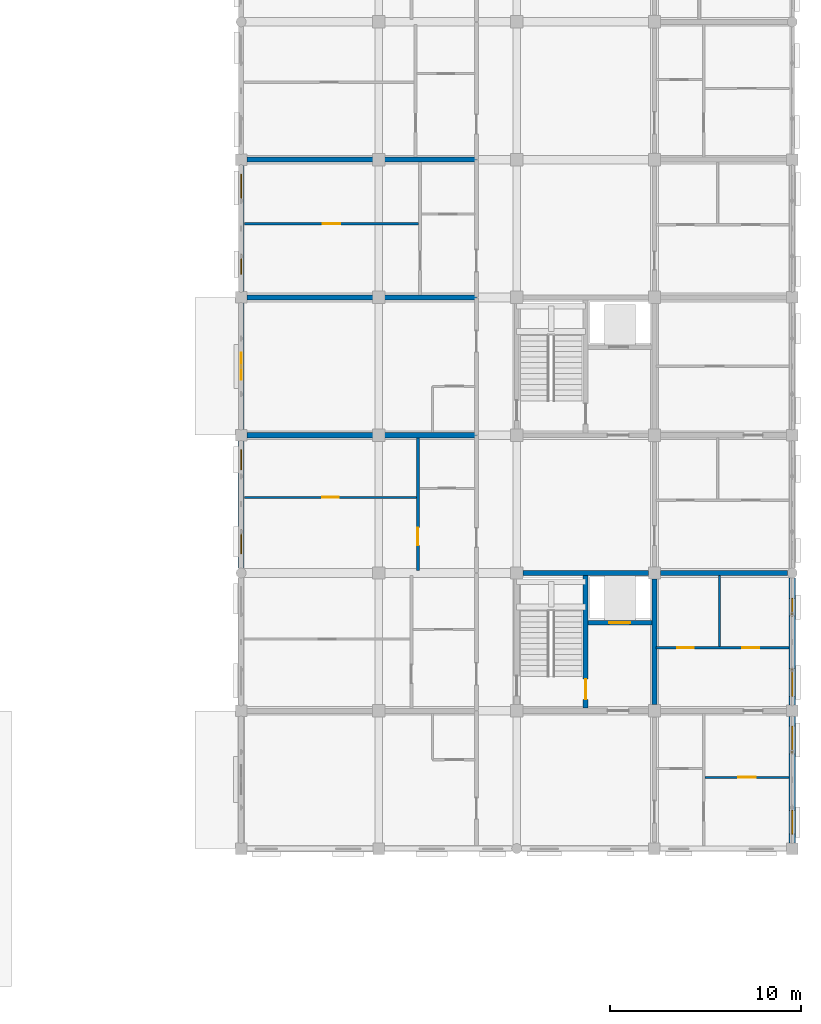
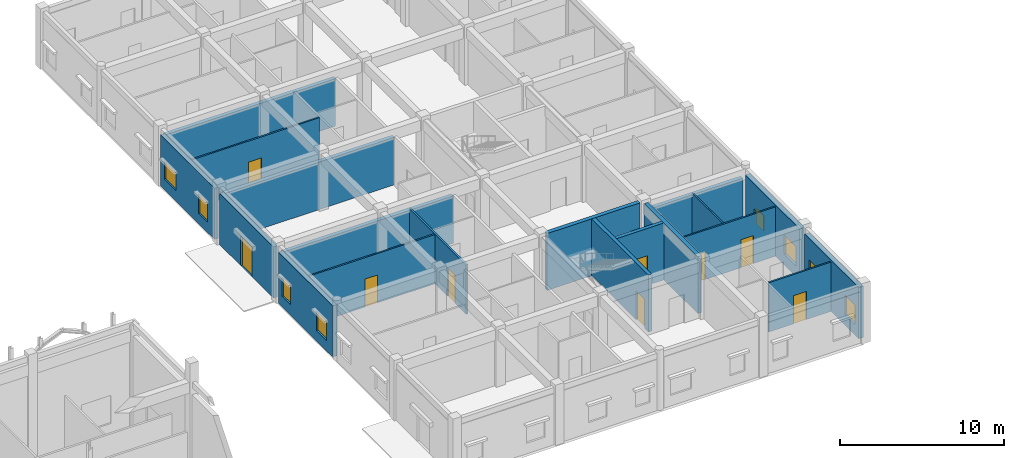
# One storey, part 111 of 138: 19 walls, 9 doors, 8 windows, 17 openings.
"""IFC4 building model written with IfcOpenShell, lengths in metres."""

from ifc_helpers import new_model, si_unit, direction, frame, frame_2d, origin, place, context, subcontext, project, spatial, rectangle, extrude, material, layer, layer_set, type_object, element, fill, save


model = new_model("IFC4")

# Units and contexts
model_context = context("Model", 3, precision=1e-05, world=origin(), true_north=direction((0.0, 1.0)))
body_context = subcontext(model_context, "Body", "Model", "MODEL_VIEW")
ifc_project = project(units=[si_unit("LENGTHUNIT", "METRE"), si_unit("AREAUNIT", "SQUARE_METRE"), si_unit("VOLUMEUNIT", "CUBIC_METRE"), si_unit("PLANEANGLEUNIT", "RADIAN"), si_unit("MASSUNIT", "GRAM", prefix="KILO"), si_unit("THERMODYNAMICTEMPERATUREUNIT", "KELVIN"), si_unit("POWERUNIT", "WATT")], contexts=[model_context])

# Site, building, storey
site_placement = place(None, origin())
site = spatial("IfcSite", under=ifc_project, at=site_placement, CompositionType="ELEMENT")
building_placement = place(site_placement, origin())
building = spatial("IfcBuilding", under=site, at=building_placement, Name="Tavuni Mirador Residences", CompositionType="ELEMENT")
storey_placement = place(building_placement, origin())
storey = spatial("IfcBuildingStorey", under=building, at=storey_placement, Name="L00", CompositionType="ELEMENT", Elevation=0.0)

# Wall, opening, door
ifc_material_1 = material(Name="Precast concrete C40/50", Category="concrete")
ifc_layer_1 = layer(ifc_material_1, 0.25, Name="Precast concrete C40/50", Category="concrete")
ifc_layer_set_1 = layer_set([ifc_layer_1], Name="Precast concrete C40/50")
wall_type_1 = type_object("IfcWallType", Name="WT-COR250", PredefinedType="SHEAR", material=ifc_layer_set_1)
wall_1_placement = place(storey_placement, frame((108.0, 93.739990234375, 0.0), z_axis=(0.0, 0.0, 1.0), x_axis=(0.0, 1.0, 0.0)))
wall_1 = element("IfcWall", 1, at=wall_1_placement, inside=storey, type_object=wall_type_1, Name="CWALL-C7-L00-MID", PredefinedType="SHEAR", context=body_context, shape_type="SweptSolid", body=[
    extrude(rectangle(XDim=6.919921875, YDim=0.25, at=frame_2d((3.4599609375, 0.0))), origin(), (0.0, 0.0, 1.0), 4.239990234375),
])
opening_1_placement = place(wall_1_placement, frame((0.4599609375, 0.0, 0.0)))
opening_1 = element("IfcOpeningElement", 2, at=opening_1_placement, cuts=wall_1, Name="Opening D-01", PredefinedType="OPENING", context=body_context, shape_type="SweptSolid", body=[
    extrude(rectangle(XDim=1.050048828125, YDim=2.14990234375, at=frame_2d((0.52490234375, 1.074951171875))), frame((0.0, 0.135009765625, 0.0), z_axis=(0.0, -1.0, 0.0), x_axis=(1.0, 0.0, 0.0)), (0.0, 0.0, 1.0), 0.27001953125),
])
ifc_material_2 = material(Name="Solid core iroko timber", Category="wood")
door_type_1 = type_object("IfcDoorType", Name="DT-ST1050", OperationType="NOTDEFINED", PredefinedType="DOOR", material=ifc_material_2)
door_1_placement = place(opening_1_placement, frame((1.050048828125, 0.0, 0.0), z_axis=(0.0, 0.0, 1.0), x_axis=(-1.0, 0.0, 0.0)))
door_1 = element("IfcDoor", 3, at=door_1_placement, inside=storey, type_object=door_type_1, Name="DR-2267", OperationType="SINGLE_SWING_LEFT", OverallHeight=2.14990234375, OverallWidth=1.050048828125, PredefinedType="DOOR", context=body_context, shape_type="SweptSolid", body=[
    extrude(rectangle(XDim=1.050048828125, YDim=2.14990234375, at=frame_2d((0.52490234375, 1.074951171875))), frame((0.0, 0.02490234375, 0.0), z_axis=(0.0, -1.0, 0.0), x_axis=(1.0, 0.0, 0.0)), (0.0, 0.0, 1.0), 0.050048828125),
])
fill(opening_1, door_1)

wall_2_placement = place(storey_placement, frame((108.125, 98.199951171875, 0.0), z_axis=(0.0, 0.0, 1.0), x_axis=(1.0, 0.0, 0.0)))
wall_2 = element("IfcWall", 4, at=wall_2_placement, inside=storey, type_object=wall_type_1, Name="CWALL-C7-L00-SHF", PredefinedType="SHEAR", context=body_context, shape_type="SweptSolid", body=[
    extrude(rectangle(XDim=3.3349609375, YDim=0.25, at=frame_2d((1.66748046875, 0.0))), origin(), (0.0, 0.0, 1.0), 4.239990234375),
])
opening_2_placement = place(wall_2_placement, frame((1.10009765625, 0.0, 0.0)))
opening_2 = element("IfcOpeningElement", 5, at=opening_2_placement, cuts=wall_2, Name="Opening LD-01", PredefinedType="OPENING", context=body_context, shape_type="SweptSolid", body=[
    extrude(rectangle(XDim=1.10009765625, YDim=2.199951171875, at=frame_2d((0.550048828125, 1.10009765625))), frame((0.0, 0.135009765625, 0.0), z_axis=(0.0, -1.0, 0.0), x_axis=(1.0, 0.0, 0.0)), (0.0, 0.0, 1.0), 0.27001953125),
])
ifc_material_3 = material(Name="Structural steel S355", Category="steel")
door_type_2 = type_object("IfcDoorType", Name="DT-LD-FF", OperationType="SLIDING_TO_LEFT", PredefinedType="DOOR", material=ifc_material_3)
door_2_placement = place(opening_2_placement, origin())
door_2 = element("IfcDoor", 6, at=door_2_placement, inside=storey, type_object=door_type_2, Name="Lift landing door FL-D1 L00", OperationType="SLIDING_TO_LEFT", OverallHeight=2.199951171875, OverallWidth=1.10009765625, PredefinedType="DOOR", context=body_context, shape_type="SweptSolid", body=[
    extrude(rectangle(XDim=1.10009765625, YDim=2.199951171875, at=frame_2d((0.550048828125, 1.10009765625))), frame((0.0, 0.02490234375, 0.0), z_axis=(0.0, -1.0, 0.0), x_axis=(1.0, 0.0, 0.0)), (0.0, 0.0, 1.0), 0.050048828125),
])
fill(opening_2, door_2)

# Walls
ifc_layer_2 = layer(ifc_material_1, 0.280029296875, Name="Precast concrete C40/50", Category="concrete")
ifc_layer_set_2 = layer_set([ifc_layer_2], Name="Precast concrete C40/50")
wall_type_2 = type_object("IfcWallType", Name="WT-COR280", PredefinedType="SHEAR", material=ifc_layer_set_2)
wall_3_placement = place(storey_placement, frame((104.72509765625, 100.800048828125, 0.0), z_axis=(0.0, 0.0, 1.0), x_axis=(1.0, 0.0, 0.0)))
element("IfcWall", 7, at=wall_3_placement, inside=storey, type_object=wall_type_2, Name="CWALL-C7-L00-N", PredefinedType="SHEAR", context=body_context, shape_type="SweptSolid", body=[
    extrude(rectangle(XDim=6.5498046875, YDim=0.280029296875, at=frame_2d((3.27490234375, 0.0))), origin(), (0.0, 0.0, 1.0), 4.239990234375),
])
wall_4_placement = place(storey_placement, frame((111.60009765625, 93.925048828125, 0.0), z_axis=(0.0, 0.0, 1.0), x_axis=(0.0, 1.0, 0.0)))
element("IfcWall", 8, at=wall_4_placement, inside=storey, type_object=wall_type_2, Name="CWALL-C7-L00-E", PredefinedType="SHEAR", context=body_context, shape_type="SweptSolid", body=[
    extrude(rectangle(XDim=6.550048828125, YDim=0.280029296875, at=frame_2d((3.27490234375, 0.0))), origin(), (0.0, 0.0, 1.0), 4.239990234375),
])

# Wall, openings, windows
ifc_layer_3 = layer(ifc_material_1, 0.330078125, Name="Precast concrete C40/50", Category="concrete")
ifc_layer_set_3 = layer_set([ifc_layer_3], Name="Precast concrete C40/50")
wall_type_3 = type_object("IfcWallType", Name="WT-EXT-COR330", PredefinedType="SOLIDWALL", material=ifc_layer_set_3)
wall_5_placement = place(storey_placement, frame((118.800048828125, 86.699951171875, 0.0), z_axis=(0.0, 0.0, 1.0), x_axis=(0.0, 1.0, 0.0)))
wall_5 = element("IfcWall", 9, at=wall_5_placement, inside=storey, type_object=wall_type_3, Name="EW-BLK-D-L00-E00", PredefinedType="SOLIDWALL", context=body_context, shape_type="SweptSolid", body=[
    extrude(rectangle(XDim=6.60009765625, YDim=0.330078125, at=frame_2d((3.300048828125, 0.0))), origin(), (0.0, 0.0, 1.0), 3.81005859375),
])
opening_3_placement = place(wall_5_placement, frame((0.449951171875, 0.0, 0.780029296875)))
opening_3 = element("IfcOpeningElement", 10, at=opening_3_placement, cuts=wall_5, Name="Opening WN-28", PredefinedType="OPENING", context=body_context, shape_type="SweptSolid", body=[
    extrude(rectangle(XDim=1.25, YDim=1.43994140625, at=frame_2d((0.625, 0.719970703125))), frame((0.0, 0.175048828125, 0.0), z_axis=(0.0, -1.0, 0.0), x_axis=(1.0, 0.0, 0.0)), (0.0, 0.0, 1.0), 0.35009765625),
])
opening_4_placement = place(wall_5_placement, frame((4.64990234375, 0.0, 0.780029296875)))
opening_4 = element("IfcOpeningElement", 11, at=opening_4_placement, cuts=wall_5, Name="Opening WN-30", PredefinedType="OPENING", context=body_context, shape_type="SweptSolid", body=[
    extrude(rectangle(XDim=1.449951171875, YDim=1.43994140625, at=frame_2d((0.72509765625, 0.719970703125))), frame((0.0, 0.175048828125, 0.0), z_axis=(0.0, -1.0, 0.0), x_axis=(1.0, 0.0, 0.0)), (0.0, 0.0, 1.0), 0.35009765625),
])
ifc_material_4 = material(Name="Laminated solar-control glass", Category="glass")
window_type_1 = type_object("IfcWindowType", Name="WNT-28", PartitioningType="SINGLE_PANEL", PredefinedType="WINDOW", material=ifc_material_4)
window_1_placement = place(opening_3_placement, origin())
window_1 = element("IfcWindow", 12, at=window_1_placement, inside=storey, type_object=window_type_1, Name="WIN-1407", OverallHeight=1.43994140625, OverallWidth=1.25, PartitioningType="SINGLE_PANEL", PredefinedType="WINDOW", context=body_context, shape_type="SweptSolid", body=[
    extrude(rectangle(XDim=1.25, YDim=1.43994140625, at=frame_2d((0.625, 0.719970703125))), frame((0.0, 0.030029296875, 0.0), z_axis=(0.0, -1.0, 0.0), x_axis=(1.0, 0.0, 0.0)), (0.0, 0.0, 1.0), 0.06005859375),
])
fill(opening_3, window_1)
window_type_2 = type_object("IfcWindowType", Name="WNT-30", PartitioningType="SINGLE_PANEL", PredefinedType="WINDOW", material=ifc_material_4)
window_2_placement = place(opening_4_placement, origin())
window_2 = element("IfcWindow", 13, at=window_2_placement, inside=storey, type_object=window_type_2, Name="WIN-1408", OverallHeight=1.43994140625, OverallWidth=1.449951171875, PartitioningType="SINGLE_PANEL", PredefinedType="WINDOW", context=body_context, shape_type="SweptSolid", body=[
    extrude(rectangle(XDim=1.449951171875, YDim=1.43994140625, at=frame_2d((0.72509765625, 0.719970703125))), frame((0.0, 0.030029296875, 0.0), z_axis=(0.0, -1.0, 0.0), x_axis=(1.0, 0.0, 0.0)), (0.0, 0.0, 1.0), 0.06005859375),
])
fill(opening_4, window_2)

ifc_material_5 = material(Name="Sgraffito lime-rendered precast concrete C40/50", Category="concrete")
ifc_layer_4 = layer(ifc_material_5, 0.27490234375, Name="Sgraffito lime-rendered precast concrete C40/50", Category="concrete")
ifc_layer_set_4 = layer_set([ifc_layer_4], Name="Sgraffito lime-rendered precast concrete C40/50")
wall_type_4 = type_object("IfcWallType", Name="WT-EXT-PC275", PredefinedType="SOLIDWALL", material=ifc_layer_set_4)
wall_6_placement = place(storey_placement, frame((90.0, 122.10009765625, 0.0), z_axis=(0.0, 0.0, 1.0), x_axis=(0.0, -1.0, 0.0)))
wall_6 = element("IfcWall", 14, at=wall_6_placement, inside=storey, type_object=wall_type_4, Name="EW-BLK-D-L00-W04", PredefinedType="SOLIDWALL", context=body_context, shape_type="SweptSolid", body=[
    extrude(rectangle(XDim=6.60009765625, YDim=0.27490234375, at=frame_2d((3.300048828125, 0.0))), origin(), (0.0, 0.0, 1.0), 3.81005859375),
])
opening_5_placement = place(wall_6_placement, frame((0.449951171875, 0.0, 0.780029296875)))
opening_5 = element("IfcOpeningElement", 15, at=opening_5_placement, cuts=wall_6, Name="Opening WN-24", PredefinedType="OPENING", context=body_context, shape_type="SweptSolid", body=[
    extrude(rectangle(XDim=1.4599609375, YDim=1.360107421875, at=frame_2d((0.72998046875, 0.68017578125))), frame((0.0, 0.1474609375, 0.0), z_axis=(0.0, -1.0, 0.0), x_axis=(1.0, 0.0, 0.0)), (0.0, 0.0, 1.0), 0.294921875),
])
opening_6_placement = place(wall_6_placement, frame((4.64990234375, 0.0, 0.780029296875)))
opening_6 = element("IfcOpeningElement", 16, at=opening_6_placement, cuts=wall_6, Name="Opening WN-26", PredefinedType="OPENING", context=body_context, shape_type="SweptSolid", body=[
    extrude(rectangle(XDim=1.050048828125, YDim=1.43994140625, at=frame_2d((0.52490234375, 0.719970703125))), frame((0.0, 0.1474609375, 0.0), z_axis=(0.0, -1.0, 0.0), x_axis=(1.0, 0.0, 0.0)), (0.0, 0.0, 1.0), 0.294921875),
])
window_type_3 = type_object("IfcWindowType", Name="WNT-24", PartitioningType="SINGLE_PANEL", PredefinedType="WINDOW", material=ifc_material_4)
window_3_placement = place(opening_5_placement, origin())
window_3 = element("IfcWindow", 17, at=window_3_placement, inside=storey, type_object=window_type_3, Name="WIN-1433", OverallHeight=1.360107421875, OverallWidth=1.4599609375, PartitioningType="SINGLE_PANEL", PredefinedType="WINDOW", context=body_context, shape_type="SweptSolid", body=[
    extrude(rectangle(XDim=1.4599609375, YDim=1.360107421875, at=frame_2d((0.72998046875, 0.68017578125))), frame((0.0, 0.030029296875, 0.0), z_axis=(0.0, -1.0, 0.0), x_axis=(1.0, 0.0, 0.0)), (0.0, 0.0, 1.0), 0.06005859375),
])
fill(opening_5, window_3)
window_type_4 = type_object("IfcWindowType", Name="WNT-26", PartitioningType="SINGLE_PANEL", PredefinedType="WINDOW", material=ifc_material_4)
window_4_placement = place(opening_6_placement, origin())
window_4 = element("IfcWindow", 18, at=window_4_placement, inside=storey, type_object=window_type_4, Name="WIN-1434", OverallHeight=1.43994140625, OverallWidth=1.050048828125, PartitioningType="SINGLE_PANEL", PredefinedType="WINDOW", context=body_context, shape_type="SweptSolid", body=[
    extrude(rectangle(XDim=1.050048828125, YDim=1.43994140625, at=frame_2d((0.52490234375, 0.719970703125))), frame((0.0, 0.030029296875, 0.0), z_axis=(0.0, -1.0, 0.0), x_axis=(1.0, 0.0, 0.0)), (0.0, 0.0, 1.0), 0.06005859375),
])
fill(opening_6, window_4)

# Wall, opening, door
ifc_layer_5 = layer(ifc_material_5, 0.2900390625, Name="Sgraffito lime-rendered precast concrete C40/50", Category="concrete")
ifc_layer_set_5 = layer_set([ifc_layer_5], Name="Sgraffito lime-rendered precast concrete C40/50")
wall_type_5 = type_object("IfcWallType", Name="WT-EXT-PC290", PredefinedType="SOLIDWALL", material=ifc_layer_set_5)
wall_7_placement = place(storey_placement, frame((90.0, 114.89990234375, 0.0), z_axis=(0.0, 0.0, 1.0), x_axis=(0.0, -1.0, 0.0)))
wall_7 = element("IfcWall", 19, at=wall_7_placement, inside=storey, type_object=wall_type_5, Name="EW-BLK-D-L00-W03", PredefinedType="SOLIDWALL", context=body_context, shape_type="SweptSolid", body=[
    extrude(rectangle(XDim=6.599853515625, YDim=0.2900390625, at=frame_2d((3.2998046875, 0.0))), origin(), (0.0, 0.0, 1.0), 3.81005859375),
])
opening_7_placement = place(wall_7_placement, frame((2.60009765625, 0.0, 0.0)))
opening_7 = element("IfcOpeningElement", 20, at=opening_7_placement, cuts=wall_7, Name="Opening SD-01", PredefinedType="OPENING", context=body_context, shape_type="SweptSolid", body=[
    extrude(rectangle(XDim=1.39990234375, YDim=2.199951171875, at=frame_2d((0.699951171875, 1.10009765625))), frame((0.0, 0.155029296875, 0.0), z_axis=(0.0, -1.0, 0.0), x_axis=(1.0, 0.0, 0.0)), (0.0, 0.0, 1.0), 0.31005859375),
])
ifc_material_6 = material(Name="Anodised aluminium", Category="aluminium")
door_type_3 = type_object("IfcDoorType", Name="DT-SHP1400", OperationType="NOTDEFINED", PredefinedType="DOOR", material=ifc_material_6)
door_3_placement = place(opening_7_placement, frame((1.39990234375, 0.0, 0.0), z_axis=(0.0, 0.0, 1.0), x_axis=(-1.0, 0.0, 0.0)))
door_3 = element("IfcDoor", 21, at=door_3_placement, inside=storey, type_object=door_type_3, Name="Final exit door EX-016", OperationType="SINGLE_SWING_LEFT", OverallHeight=2.199951171875, OverallWidth=1.39990234375, PredefinedType="DOOR", context=body_context, shape_type="SweptSolid", body=[
    extrude(rectangle(XDim=1.39990234375, YDim=2.199951171875, at=frame_2d((0.699951171875, 1.10009765625))), frame((0.0, 0.02490234375, 0.0), z_axis=(0.0, -1.0, 0.0), x_axis=(1.0, 0.0, 0.0)), (0.0, 0.0, 1.0), 0.050048828125),
])
fill(opening_7, door_3)

# Wall, openings, windows
ifc_layer_6 = layer(ifc_material_5, 0.304931640625, Name="Sgraffito lime-rendered precast concrete C40/50", Category="concrete")
ifc_layer_set_6 = layer_set([ifc_layer_6], Name="Sgraffito lime-rendered precast concrete C40/50")
wall_type_6 = type_object("IfcWallType", Name="WT-EXT-PC305", PredefinedType="SOLIDWALL", material=ifc_layer_set_6)
wall_8_placement = place(storey_placement, frame((90.0, 107.699951171875, 0.0), z_axis=(0.0, 0.0, 1.0), x_axis=(0.0, -1.0, 0.0)))
wall_8 = element("IfcWall", 22, at=wall_8_placement, inside=storey, type_object=wall_type_6, Name="EW-BLK-D-L00-W02", PredefinedType="SOLIDWALL", context=body_context, shape_type="SweptSolid", body=[
    extrude(rectangle(XDim=6.639892578125, YDim=0.304931640625, at=frame_2d((3.31982421875, 0.0))), origin(), (0.0, 0.0, 1.0), 3.81005859375),
])
opening_8_placement = place(wall_8_placement, frame((0.449951171875, 0.0, 0.780029296875)))
opening_8 = element("IfcOpeningElement", 23, at=opening_8_placement, cuts=wall_8, Name="Opening WN-26", PredefinedType="OPENING", context=body_context, shape_type="SweptSolid", body=[
    extrude(rectangle(XDim=1.050048828125, YDim=1.43994140625, at=frame_2d((0.52490234375, 0.719970703125))), frame((0.0, 0.16259765625, 0.0), z_axis=(0.0, -1.0, 0.0), x_axis=(1.0, 0.0, 0.0)), (0.0, 0.0, 1.0), 0.324951171875),
])
opening_9_placement = place(wall_8_placement, frame((4.64990234375, 0.0, 0.780029296875)))
opening_9 = element("IfcOpeningElement", 24, at=opening_9_placement, cuts=wall_8, Name="Opening WN-28", PredefinedType="OPENING", context=body_context, shape_type="SweptSolid", body=[
    extrude(rectangle(XDim=1.25, YDim=1.43994140625, at=frame_2d((0.625, 0.719970703125))), frame((0.0, 0.16259765625, 0.0), z_axis=(0.0, -1.0, 0.0), x_axis=(1.0, 0.0, 0.0)), (0.0, 0.0, 1.0), 0.324951171875),
])
window_5_placement = place(opening_8_placement, origin())
window_5 = element("IfcWindow", 25, at=window_5_placement, inside=storey, type_object=window_type_4, Name="WIN-1435", OverallHeight=1.43994140625, OverallWidth=1.050048828125, PartitioningType="SINGLE_PANEL", PredefinedType="WINDOW", context=body_context, shape_type="SweptSolid", body=[
    extrude(rectangle(XDim=1.050048828125, YDim=1.43994140625, at=frame_2d((0.52490234375, 0.719970703125))), frame((0.0, 0.030029296875, 0.0), z_axis=(0.0, -1.0, 0.0), x_axis=(1.0, 0.0, 0.0)), (0.0, 0.0, 1.0), 0.06005859375),
])
fill(opening_8, window_5)
window_6_placement = place(opening_9_placement, origin())
window_6 = element("IfcWindow", 26, at=window_6_placement, inside=storey, type_object=window_type_1, Name="WIN-1436", OverallHeight=1.43994140625, OverallWidth=1.25, PartitioningType="SINGLE_PANEL", PredefinedType="WINDOW", context=body_context, shape_type="SweptSolid", body=[
    extrude(rectangle(XDim=1.25, YDim=1.43994140625, at=frame_2d((0.625, 0.719970703125))), frame((0.0, 0.030029296875, 0.0), z_axis=(0.0, -1.0, 0.0), x_axis=(1.0, 0.0, 0.0)), (0.0, 0.0, 1.0), 0.06005859375),
])
fill(opening_9, window_6)

ifc_layer_7 = layer(ifc_material_5, 0.344970703125, Name="Sgraffito lime-rendered precast concrete C40/50", Category="concrete")
ifc_layer_set_7 = layer_set([ifc_layer_7], Name="Sgraffito lime-rendered precast concrete C40/50")
wall_type_7 = type_object("IfcWallType", Name="WT-EXT-PTY345", PredefinedType="SOLIDWALL", material=ifc_layer_set_7)
wall_9_placement = place(storey_placement, frame((118.800048828125, 93.89990234375, 0.0), z_axis=(0.0, 0.0, 1.0), x_axis=(0.0, 1.0, 0.0)))
wall_9 = element("IfcWall", 27, at=wall_9_placement, inside=storey, type_object=wall_type_7, Name="EW-BLK-D-L00-E01", PredefinedType="SOLIDWALL", context=body_context, shape_type="SweptSolid", body=[
    extrude(rectangle(XDim=6.64013671875, YDim=0.344970703125, at=frame_2d((3.320068359375, 0.0))), origin(), (0.0, 0.0, 1.0), 3.81005859375),
])
opening_10_placement = place(wall_9_placement, frame((0.449951171875, 0.0, 0.780029296875)))
opening_10 = element("IfcOpeningElement", 28, at=opening_10_placement, cuts=wall_9, Name="Opening WN-30", PredefinedType="OPENING", context=body_context, shape_type="SweptSolid", body=[
    extrude(rectangle(XDim=1.449951171875, YDim=1.43994140625, at=frame_2d((0.72509765625, 0.719970703125))), frame((0.0, 0.1826171875, 0.0), z_axis=(0.0, -1.0, 0.0), x_axis=(1.0, 0.0, 0.0)), (0.0, 0.0, 1.0), 0.364990234375),
])
opening_11_placement = place(wall_9_placement, frame((4.64990234375, 0.0, 0.780029296875)))
opening_11 = element("IfcOpeningElement", 29, at=opening_11_placement, cuts=wall_9, Name="Opening WN-02", PredefinedType="OPENING", context=body_context, shape_type="SweptSolid", body=[
    extrude(rectangle(XDim=0.919921875, YDim=1.14990234375, at=frame_2d((0.4599609375, 0.574951171875))), frame((0.0, 0.1826171875, 0.0), z_axis=(0.0, -1.0, 0.0), x_axis=(1.0, 0.0, 0.0)), (0.0, 0.0, 1.0), 0.364990234375),
])
window_type_5 = type_object("IfcWindowType", Name="WNT-02", PartitioningType="SINGLE_PANEL", PredefinedType="WINDOW", material=ifc_material_4)
window_7_placement = place(opening_11_placement, origin())
window_7 = element("IfcWindow", 30, at=window_7_placement, inside=storey, type_object=window_type_5, Name="WIN-1410", OverallHeight=1.14990234375, OverallWidth=0.919921875, PartitioningType="SINGLE_PANEL", PredefinedType="WINDOW", context=body_context, shape_type="SweptSolid", body=[
    extrude(rectangle(XDim=0.919921875, YDim=1.14990234375, at=frame_2d((0.4599609375, 0.574951171875))), frame((0.0, 0.030029296875, 0.0), z_axis=(0.0, -1.0, 0.0), x_axis=(1.0, 0.0, 0.0)), (0.0, 0.0, 1.0), 0.06005859375),
])
fill(opening_11, window_7)
window_8_placement = place(opening_10_placement, origin())
window_8 = element("IfcWindow", 31, at=window_8_placement, inside=storey, type_object=window_type_2, Name="WIN-1409", OverallHeight=1.43994140625, OverallWidth=1.449951171875, PartitioningType="SINGLE_PANEL", PredefinedType="WINDOW", context=body_context, shape_type="SweptSolid", body=[
    extrude(rectangle(XDim=1.449951171875, YDim=1.43994140625, at=frame_2d((0.72509765625, 0.719970703125))), frame((0.0, 0.030029296875, 0.0), z_axis=(0.0, -1.0, 0.0), x_axis=(1.0, 0.0, 0.0)), (0.0, 0.0, 1.0), 0.06005859375),
])
fill(opening_10, window_8)

# Wall
ifc_material_7 = material(Name="Acoustic gypsum and concrete block partition", Category="concrete")
ifc_layer_8 = layer(ifc_material_7, 0.10498046875, Name="Acoustic gypsum and concrete block partition", Category="concrete")
ifc_layer_set_8 = layer_set([ifc_layer_8], Name="Acoustic gypsum and concrete block partition")
wall_type_8 = type_object("IfcWallType", Name="WT-PART105", PredefinedType="PARTITIONING", material=ifc_layer_set_8)
wall_10_placement = place(storey_placement, frame((115.0, 96.969970703125, 0.0), z_axis=(0.0, 0.0, 1.0), x_axis=(0.0, 1.0, 0.0)))
element("IfcWall", 32, at=wall_10_placement, inside=storey, type_object=wall_type_8, Name="PW-BLK-D-L00-PF01-V", PredefinedType="PARTITIONING", context=body_context, shape_type="SweptSolid", body=[
    extrude(rectangle(XDim=3.68994140625, YDim=0.10498046875, at=frame_2d((1.844970703125, 0.0))), origin(), (0.0, 0.0, 1.0), 3.675048828125),
])

# Wall, opening, door
ifc_layer_9 = layer(ifc_material_7, 0.114990234375, Name="Acoustic gypsum and concrete block partition", Category="concrete")
ifc_layer_set_9 = layer_set([ifc_layer_9], Name="Acoustic gypsum and concrete block partition")
wall_type_9 = type_object("IfcWallType", Name="WT-PART115", PredefinedType="PARTITIONING", material=ifc_layer_set_9)
wall_11_placement = place(storey_placement, frame((114.25, 90.1201171875, 0.0), z_axis=(0.0, 0.0, 1.0), x_axis=(1.0, 0.0, 0.0)))
wall_11 = element("IfcWall", 33, at=wall_11_placement, inside=storey, type_object=wall_type_9, Name="PW-BLK-D-L00-E00-OUT", PredefinedType="PARTITIONING", context=body_context, shape_type="SweptSolid", body=[
    extrude(rectangle(XDim=4.375, YDim=0.114990234375, at=frame_2d((2.1875, 0.0))), origin(), (0.0, 0.0, 1.0), 3.675048828125),
])
opening_12_placement = place(wall_11_placement, frame((1.737548828125, 0.0, 0.0)))
opening_12 = element("IfcOpeningElement", 34, at=opening_12_placement, cuts=wall_11, Name="Opening D-07", PredefinedType="OPENING", context=body_context, shape_type="SweptSolid", body=[
    extrude(rectangle(XDim=0.89990234375, YDim=2.10009765625, at=frame_2d((0.449951171875, 1.050048828125))), frame((0.0, 0.0673828125, 0.0), z_axis=(0.0, -1.0, 0.0), x_axis=(1.0, 0.0, 0.0)), (0.0, 0.0, 1.0), 0.135009765625),
])
door_type_4 = type_object("IfcDoorType", Name="DT-BED900", OperationType="NOTDEFINED", PredefinedType="DOOR", material=ifc_material_2)
door_4_placement = place(opening_12_placement, origin())
door_4 = element("IfcDoor", 35, at=door_4_placement, inside=storey, type_object=door_type_4, Name="DR-4281", OperationType="SINGLE_SWING_LEFT", OverallHeight=2.10009765625, OverallWidth=0.89990234375, PredefinedType="DOOR", context=body_context, shape_type="SweptSolid", body=[
    extrude(rectangle(XDim=0.89990234375, YDim=2.10009765625, at=frame_2d((0.449951171875, 1.050048828125))), frame((0.0, 0.02490234375, 0.0), z_axis=(0.0, -1.0, 0.0), x_axis=(1.0, 0.0, 0.0)), (0.0, 0.0, 1.0), 0.050048828125),
])
fill(opening_12, door_4)

# Wall, openings, doors
wall_12_placement = place(storey_placement, frame((111.68994140625, 96.89990234375, 0.0), z_axis=(0.0, 0.0, 1.0), x_axis=(1.0, 0.0, 0.0)))
wall_12 = element("IfcWall", 36, at=wall_12_placement, inside=storey, type_object=wall_type_9, Name="PW-BLK-D-L00-PF01-H", PredefinedType="PARTITIONING", context=body_context, shape_type="SweptSolid", body=[
    extrude(rectangle(XDim=6.93505859375, YDim=0.114990234375, at=frame_2d((3.467529296875, 0.0))), origin(), (0.0, 0.0, 1.0), 3.675048828125),
])
opening_13_placement = place(wall_12_placement, frame((1.10009765625, 0.0, 0.0)))
opening_13 = element("IfcOpeningElement", 37, at=opening_13_placement, cuts=wall_12, Name="Opening D-10", PredefinedType="OPENING", context=body_context, shape_type="SweptSolid", body=[
    extrude(rectangle(XDim=0.8701171875, YDim=2.050048828125, at=frame_2d((0.43505859375, 1.02490234375))), frame((0.0, 0.0673828125, 0.0), z_axis=(0.0, -1.0, 0.0), x_axis=(1.0, 0.0, 0.0)), (0.0, 0.0, 1.0), 0.135009765625),
])
opening_14_placement = place(wall_12_placement, frame((4.5, 0.0, 0.0)))
opening_14 = element("IfcOpeningElement", 38, at=opening_14_placement, cuts=wall_12, Name="Opening D-08", PredefinedType="OPENING", context=body_context, shape_type="SweptSolid", body=[
    extrude(rectangle(XDim=0.8798828125, YDim=2.080078125, at=frame_2d((0.43994140625, 1.0400390625))), frame((0.0, 0.0673828125, 0.0), z_axis=(0.0, -1.0, 0.0), x_axis=(1.0, 0.0, 0.0)), (0.0, 0.0, 1.0), 0.135009765625),
])
door_type_5 = type_object("IfcDoorType", Name="DT-BED880", OperationType="NOTDEFINED", PredefinedType="DOOR", material=ifc_material_2)
door_5_placement = place(opening_14_placement, origin())
door_5 = element("IfcDoor", 39, at=door_5_placement, inside=storey, type_object=door_type_5, Name="DR-4288", OperationType="SINGLE_SWING_RIGHT", OverallHeight=2.080078125, OverallWidth=0.8798828125, PredefinedType="DOOR", context=body_context, shape_type="SweptSolid", body=[
    extrude(rectangle(XDim=0.8798828125, YDim=2.080078125, at=frame_2d((0.43994140625, 1.0400390625))), frame((0.0, 0.02490234375, 0.0), z_axis=(0.0, -1.0, 0.0), x_axis=(1.0, 0.0, 0.0)), (0.0, 0.0, 1.0), 0.050048828125),
])
fill(opening_14, door_5)
door_type_6 = type_object("IfcDoorType", Name="DT-WC870", OperationType="NOTDEFINED", PredefinedType="DOOR", material=ifc_material_2)
door_6_placement = place(opening_13_placement, origin())
door_6 = element("IfcDoor", 40, at=door_6_placement, inside=storey, type_object=door_type_6, Name="DR-4287", OperationType="SINGLE_SWING_LEFT", OverallHeight=2.050048828125, OverallWidth=0.8701171875, PredefinedType="DOOR", context=body_context, shape_type="SweptSolid", body=[
    extrude(rectangle(XDim=0.8701171875, YDim=2.050048828125, at=frame_2d((0.43505859375, 1.02490234375))), frame((0.0, 0.02490234375, 0.0), z_axis=(0.0, -1.0, 0.0), x_axis=(1.0, 0.0, 0.0)), (0.0, 0.0, 1.0), 0.050048828125),
])
fill(opening_13, door_6)

# Wall, opening, door
wall_13_placement = place(storey_placement, frame((90.175048828125, 104.75, 0.0), z_axis=(0.0, 0.0, 1.0), x_axis=(1.0, 0.0, 0.0)))
wall_13 = element("IfcWall", 41, at=wall_13_placement, inside=storey, type_object=wall_type_9, Name="PW-BLK-D-L00-W02-OUT", PredefinedType="PARTITIONING", context=body_context, shape_type="SweptSolid", body=[
    extrude(rectangle(XDim=8.994873046875, YDim=0.114990234375, at=frame_2d((4.49755859375, 0.0))), origin(), (0.0, 0.0, 1.0), 3.675048828125),
])
opening_15_placement = place(wall_13_placement, frame((4.0576171875, 0.0, 0.0)))
opening_15 = element("IfcOpeningElement", 42, at=opening_15_placement, cuts=wall_13, Name="Opening D-08", PredefinedType="OPENING", context=body_context, shape_type="SweptSolid", body=[
    extrude(rectangle(XDim=0.8798828125, YDim=2.080078125, at=frame_2d((0.43994140625, 1.0400390625))), frame((0.0, 0.0673828125, 0.0), z_axis=(0.0, -1.0, 0.0), x_axis=(1.0, 0.0, 0.0)), (0.0, 0.0, 1.0), 0.135009765625),
])
door_7_placement = place(opening_15_placement, origin())
door_7 = element("IfcDoor", 43, at=door_7_placement, inside=storey, type_object=door_type_5, Name="DR-4289", OperationType="SINGLE_SWING_RIGHT", OverallHeight=2.080078125, OverallWidth=0.8798828125, PredefinedType="DOOR", context=body_context, shape_type="SweptSolid", body=[
    extrude(rectangle(XDim=0.8798828125, YDim=2.080078125, at=frame_2d((0.43994140625, 1.0400390625))), frame((0.0, 0.02490234375, 0.0), z_axis=(0.0, -1.0, 0.0), x_axis=(1.0, 0.0, 0.0)), (0.0, 0.0, 1.0), 0.050048828125),
])
fill(opening_15, door_7)

wall_14_placement = place(storey_placement, frame((90.175048828125, 119.050048828125, 0.0), z_axis=(0.0, 0.0, 1.0), x_axis=(1.0, 0.0, 0.0)))
wall_14 = element("IfcWall", 44, at=wall_14_placement, inside=storey, type_object=wall_type_9, Name="PW-BLK-D-L00-W04-OUT", PredefinedType="PARTITIONING", context=body_context, shape_type="SweptSolid", body=[
    extrude(rectangle(XDim=9.10498046875, YDim=0.114990234375, at=frame_2d((4.552490234375, 0.0))), origin(), (0.0, 0.0, 1.0), 3.675048828125),
])
opening_16_placement = place(wall_14_placement, frame((4.1025390625, 0.0, 0.0)))
opening_16 = element("IfcOpeningElement", 45, at=opening_16_placement, cuts=wall_14, Name="Opening D-07", PredefinedType="OPENING", context=body_context, shape_type="SweptSolid", body=[
    extrude(rectangle(XDim=0.89990234375, YDim=2.10009765625, at=frame_2d((0.449951171875, 1.050048828125))), frame((0.0, 0.0673828125, 0.0), z_axis=(0.0, -1.0, 0.0), x_axis=(1.0, 0.0, 0.0)), (0.0, 0.0, 1.0), 0.135009765625),
])
door_8_placement = place(opening_16_placement, origin())
door_8 = element("IfcDoor", 46, at=door_8_placement, inside=storey, type_object=door_type_4, Name="DR-4296", OperationType="SINGLE_SWING_LEFT", OverallHeight=2.10009765625, OverallWidth=0.89990234375, PredefinedType="DOOR", context=body_context, shape_type="SweptSolid", body=[
    extrude(rectangle(XDim=0.89990234375, YDim=2.10009765625, at=frame_2d((0.449951171875, 1.050048828125))), frame((0.0, 0.02490234375, 0.0), z_axis=(0.0, -1.0, 0.0), x_axis=(1.0, 0.0, 0.0)), (0.0, 0.0, 1.0), 0.050048828125),
])
fill(opening_16, door_8)

ifc_layer_10 = layer(ifc_material_7, 0.139892578125, Name="Acoustic gypsum and concrete block partition", Category="concrete")
ifc_layer_set_10 = layer_set([ifc_layer_10], Name="Acoustic gypsum and concrete block partition")
wall_type_10 = type_object("IfcWallType", Name="WT-PART140", PredefinedType="PARTITIONING", material=ifc_layer_set_10)
wall_15_placement = place(storey_placement, frame((99.239990234375, 100.93994140625, 0.0), z_axis=(0.0, 0.0, 1.0), x_axis=(0.0, 1.0, 0.0)))
wall_15 = element("IfcWall", 47, at=wall_15_placement, inside=storey, type_object=wall_type_10, Name="PW-BLK-D-L00-W02-MID", PredefinedType="PARTITIONING", context=body_context, shape_type="SweptSolid", body=[
    extrude(rectangle(XDim=6.920166015625, YDim=0.139892578125, at=frame_2d((3.4599609375, 0.0))), origin(), (0.0, 0.0, 1.0), 3.675048828125),
])
opening_17_placement = place(wall_15_placement, frame((1.31005859375, 0.0, 0.0)))
opening_17 = element("IfcOpeningElement", 48, at=opening_17_placement, cuts=wall_15, Name="Opening D-06", PredefinedType="OPENING", context=body_context, shape_type="SweptSolid", body=[
    extrude(rectangle(XDim=0.919921875, YDim=2.10009765625, at=frame_2d((0.4599609375, 1.050048828125))), frame((0.0, 0.080078125, 0.0), z_axis=(0.0, -1.0, 0.0), x_axis=(1.0, 0.0, 0.0)), (0.0, 0.0, 1.0), 0.159912109375),
])
door_type_7 = type_object("IfcDoorType", Name="DT-INT920", OperationType="NOTDEFINED", PredefinedType="DOOR", material=ifc_material_2)
door_9_placement = place(opening_17_placement, origin())
door_9 = element("IfcDoor", 49, at=door_9_placement, inside=storey, type_object=door_type_7, Name="DR-4291", OperationType="SINGLE_SWING_RIGHT", OverallHeight=2.10009765625, OverallWidth=0.919921875, PredefinedType="DOOR", context=body_context, shape_type="SweptSolid", body=[
    extrude(rectangle(XDim=0.919921875, YDim=2.10009765625, at=frame_2d((0.4599609375, 1.050048828125))), frame((0.0, 0.02490234375, 0.0), z_axis=(0.0, -1.0, 0.0), x_axis=(1.0, 0.0, 0.0)), (0.0, 0.0, 1.0), 0.050048828125),
])
fill(opening_17, door_9)

# Walls
ifc_layer_11 = layer(ifc_material_1, 0.264892578125, Name="Precast concrete C40/50", Category="concrete")
ifc_layer_set_11 = layer_set([ifc_layer_11], Name="Precast concrete C40/50")
wall_type_11 = type_object("IfcWallType", Name="WT-XW265", PredefinedType="SOLIDWALL", material=ifc_layer_set_11)
wall_16_placement = place(storey_placement, frame((111.925048828125, 100.800048828125, 0.0), z_axis=(0.0, 0.0, 1.0), x_axis=(1.0, 0.0, 0.0)))
element("IfcWall", 50, at=wall_16_placement, inside=storey, type_object=wall_type_11, Name="XW-BLK-D-L00-E-02", PredefinedType="SOLIDWALL", context=body_context, shape_type="SweptSolid", body=[
    extrude(rectangle(XDim=6.614990234375, YDim=0.264892578125, at=frame_2d((3.3076171875, 0.0))), origin(), (0.0, 0.0, 1.0), 3.5400390625),
])
for number, where, z_axis, x_axis, name in (
    (51, (90.300048828125, 108.0, 0.0), (0.0, 0.0, 1.0), (1.0, 0.0, 0.0), "XW-BLK-D-L00-W-03"),
    (52, (90.300048828125, 115.199951171875, 0.0), (0.0, 0.0, 1.0), (1.0, 0.0, 0.0), "XW-BLK-D-L00-W-04"),
    (53, (90.300048828125, 122.39990234375, 0.0), (0.0, 0.0, 1.0), (1.0, 0.0, 0.0), "XW-BLK-D-L00-W-05"),
):
    element("IfcWall", number, at=place(storey_placement, frame(where, z_axis=z_axis, x_axis=x_axis)), inside=storey, type_object=wall_type_11, Name=name, PredefinedType="SOLIDWALL", context=body_context, shape_type="SweptSolid", body=[
        extrude(rectangle(XDim=12.0, YDim=0.264892578125, at=frame_2d((6.0, 0.0))), origin(), (0.0, 0.0, 1.0), 3.5400390625),
    ])

save(model, "model.ifc")
